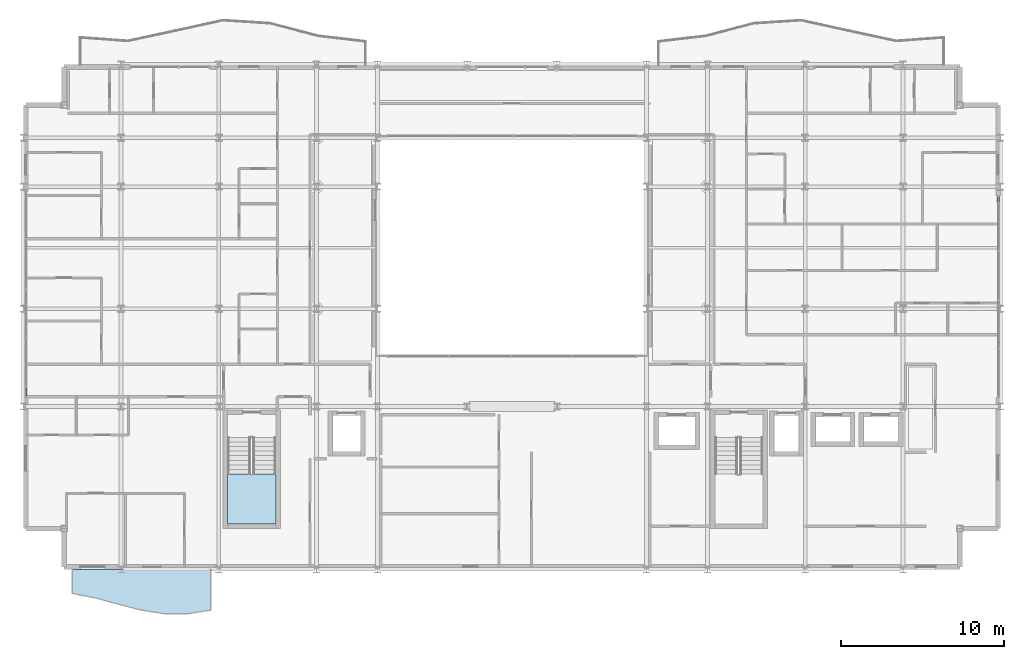
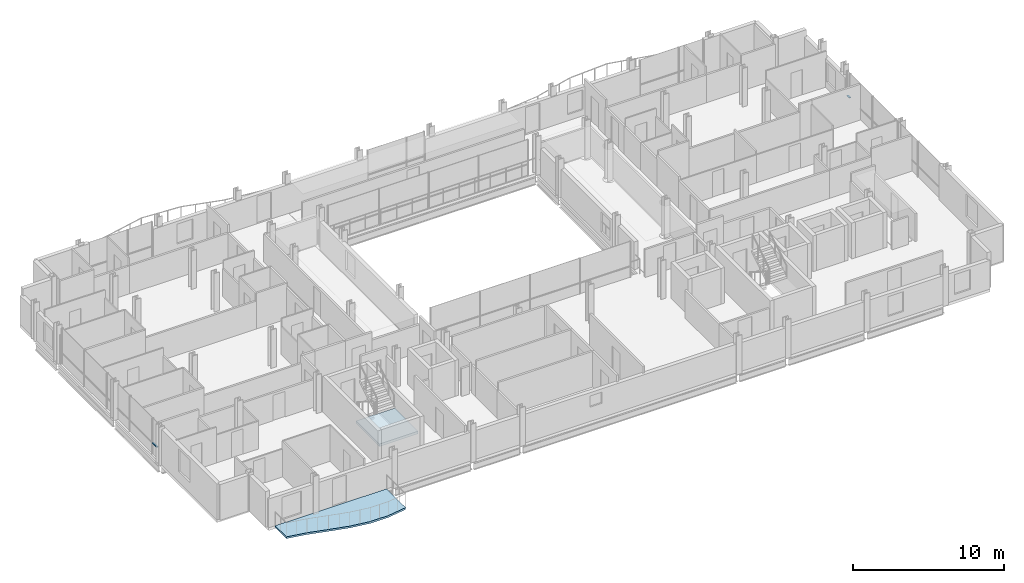
# One storey, part 27 of 41: 2 members, 2 slabs, 3 elements without a shape of their own.
"""IFC4 building model written with IfcOpenShell, lengths in metres."""

import ifcopenshell
import ifcopenshell.guid

model = None  # the IFC model being written
_history = None  # IfcOwnerHistory: only IFC2X3 demands one
_inside = {}  # id of a spatial element -> (the spatial element, [elements in it])
_under = {}  # id of a project, library or spatial element -> (it, [spatial elements below it])
_declared = {}  # id of a project -> (the project, [libraries it declares])
_typed = {}  # id of a type object -> (the type object, [elements of that type])
_made_of = {}  # id of a material, layer set ... -> (it, [elements and type objects made of it])


def new_model(schema):
    """Start an empty IFC model of exactly this schema.

    Asked for "IFC4X3", IfcOpenShell would pick the latest addendum, in which some entities
    have other attributes; the version numbers below select the first issue.
    IFC2X3 requires an IfcOwnerHistory on every rooted entity: one is made here for all.
    """
    global model, _history
    if schema == "IFC4X3":
        model = ifcopenshell.file(schema_version=(4, 3, 0, 0))
    else:
        model = ifcopenshell.file(schema=schema)
    _inside.clear()
    _under.clear()
    _declared.clear()
    _typed.clear()
    _made_of.clear()
    _history = None
    if model.schema == "IFC2X3":
        org = make("IfcOrganization", Name="unknown")
        user = make(
            "IfcPersonAndOrganization",
            ThePerson=make("IfcPerson", FamilyName="unknown"),
            TheOrganization=org,
        )
        app = make(
            "IfcApplication",
            ApplicationDeveloper=org,
            Version="unknown",
            ApplicationFullName="unknown",
            ApplicationIdentifier="unknown",
        )
        _history = make(
            "IfcOwnerHistory",
            OwningUser=user,
            OwningApplication=app,
            ChangeAction="ADDED",
            CreationDate=0,
        )
    return model


def make(cls, **values):
    """One entity of the class cls with the attributes given. An attribute that is None is left unset."""
    return model.create_entity(
        cls, **{name: value for name, value in values.items() if value is not None}
    )


def rooted(cls, **values):
    """An entity with a GlobalId (a new one), such as an element, a storey or a relation."""
    return make(cls, GlobalId=ifcopenshell.guid.new(), OwnerHistory=_history, **values)


def si_unit(unit_type, name, prefix=None):
    """IfcSIUnit, for example si_unit("LENGTHUNIT", "METRE", prefix="MILLI")."""
    return make("IfcSIUnit", UnitType=unit_type, Prefix=prefix, Name=name)


def assignment(units):
    """IfcUnitAssignment: the units of a project."""
    return None if units is None else make("IfcUnitAssignment", Units=units)


def point(xyz):
    """IfcCartesianPoint."""
    return None if xyz is None else make("IfcCartesianPoint", Coordinates=xyz)


def direction(xyz):
    """IfcDirection."""
    return None if xyz is None else make("IfcDirection", DirectionRatios=xyz)


def frame(location, z_axis=None, x_axis=None):
    """IfcAxis2Placement3D, a coordinate frame: its origin and axes. An axis left out is left unset."""
    return make(
        "IfcAxis2Placement3D",
        Location=point(location),
        Axis=direction(z_axis),
        RefDirection=direction(x_axis),
    )


def frame_2d(location, x_axis=None):
    """IfcAxis2Placement2D, a coordinate frame in the plane: its origin and x axis."""
    return make(
        "IfcAxis2Placement2D", Location=point(location), RefDirection=direction(x_axis)
    )


def origin():
    """The frame at (0, 0, 0) with its axes left unset."""
    return frame((0.0, 0.0, 0.0))


def origin_2d():
    """The frame at (0, 0) in the plane with its x axis left unset."""
    return frame_2d((0.0, 0.0))


def place(relative_to, where):
    """IfcLocalPlacement: puts the frame where relative to a parent placement (None: the world)."""
    return make(
        "IfcLocalPlacement", PlacementRelTo=relative_to, RelativePlacement=where
    )


def context(
    kind, dimensions, precision=None, world=None, true_north=None, identifier=None
):
    """IfcGeometricRepresentationContext, for example the 3D "Model" context."""
    return make(
        "IfcGeometricRepresentationContext",
        ContextIdentifier=identifier,
        ContextType=kind,
        CoordinateSpaceDimension=dimensions,
        Precision=precision,
        WorldCoordinateSystem=world,
        TrueNorth=true_north,
    )


def subcontext(parent, identifier, kind, view, scale=None):
    """IfcGeometricRepresentationSubContext, for example "Body" below "Model"."""
    return make(
        "IfcGeometricRepresentationSubContext",
        ContextIdentifier=identifier,
        ContextType=kind,
        ParentContext=parent,
        TargetScale=scale,
        TargetView=view,
    )


def project(units=None, contexts=None):
    """IfcProject with its units and contexts."""
    return rooted(
        "IfcProject",
        Name="project",
        RepresentationContexts=contexts,
        UnitsInContext=assignment(units),
    )


def spatial(cls, under=None, at=None, **own):
    """A site, building, storey or space (cls), placed at a placement, below another one or the project."""
    s = rooted(cls, ObjectPlacement=at, **own)
    if under is not None:
        _under.setdefault(under.id(), (under, []))[1].append(s)
    return s


def polyline(points):
    """IfcPolyline through the points."""
    return make("IfcPolyline", Points=[point(p) for p in points])


def profile(cls, at=None, kind="AREA", **sizes):
    """A parametric profile (cls). Its sizes go by their IFC names, for example OverallWidth=200.0."""
    return make(cls, ProfileType=kind, Position=at, **sizes)


def hollow_rectangle(**sizes):
    """IfcRectangleHollowProfileDef."""
    return profile("IfcRectangleHollowProfileDef", **sizes)


def outline(outer, holes=None, kind="AREA"):
    """IfcArbitraryClosedProfileDef: a profile drawn as a closed curve; with holes, ...WithVoids."""
    if holes is None:
        return make("IfcArbitraryClosedProfileDef", ProfileType=kind, OuterCurve=outer)
    return make(
        "IfcArbitraryProfileDefWithVoids",
        ProfileType=kind,
        OuterCurve=outer,
        InnerCurves=holes,
    )


def extrude(swept, where, along, depth):
    """IfcExtrudedAreaSolid: the profile swept, set in the frame where, extruded along a direction by depth."""
    return make(
        "IfcExtrudedAreaSolid",
        SweptArea=swept,
        Position=where,
        ExtrudedDirection=direction(along),
        Depth=depth,
    )


def shape(context_of_items, identifier, shape_type, items):
    """IfcShapeRepresentation: the items that make up one representation, for example the "Body"."""
    return make(
        "IfcShapeRepresentation",
        ContextOfItems=context_of_items,
        RepresentationIdentifier=identifier,
        RepresentationType=shape_type,
        Items=items,
    )


def material(Name=None, Category=None):
    """IfcMaterial."""
    return make("IfcMaterial", Name=Name, Category=Category)


def layer(
    of_material, thickness, ventilated=None, Name=None, Category=None, Priority=None
):
    """IfcMaterialLayer: one layer of a wall or slab, of a material (None: an air gap)."""
    return make(
        "IfcMaterialLayer",
        Material=of_material,
        LayerThickness=thickness,
        IsVentilated=ventilated,
        Name=Name,
        Category=Category,
        Priority=Priority,
    )


def layer_set(layers, Name=None):
    """IfcMaterialLayerSet."""
    return make("IfcMaterialLayerSet", MaterialLayers=layers, LayerSetName=Name)


def material_profile(
    of_material, cross_section, Name=None, Category=None, Priority=None
):
    """IfcMaterialProfile: a cross section and its material."""
    return make(
        "IfcMaterialProfile",
        Name=Name,
        Material=of_material,
        Profile=cross_section,
        Priority=Priority,
        Category=Category,
    )


def profile_set(profiles, Name=None, composite=None):
    """IfcMaterialProfileSet."""
    return make(
        "IfcMaterialProfileSet",
        Name=Name,
        MaterialProfiles=profiles,
        CompositeProfile=composite,
    )


def made_of(thing, what):
    """Note that an element or type object is made of a material, layer set ...; save() writes the relation."""
    if what is not None:
        _made_of.setdefault(what.id(), (what, []))[1].append(thing)
    return thing


def type_object(cls, material=None, **own):
    """A type object (cls), such as IfcWallType, which elements share."""
    return made_of(rooted(cls, **own), material)


def element(
    cls,
    number,
    at=None,
    inside=None,
    cuts=None,
    type_object=None,
    material=None,
    context=None,
    identifier="Body",
    shape_type=None,
    held_by="IfcProductDefinitionShape",
    body=None,
    shapes=None,
    **own,
):
    """One element of the class cls, such as IfcWall. Its Tag is "e" and its number.

    at: its placement. inside: the storey or other place that contains it. cuts: it is an
    opening in that element (IfcRelVoidsElement). A single representation is given by context,
    identifier, shape_type and body (its items); several are given by shapes. held_by: the class
    of the entity that holds the representations. save() writes the other relations.
    """
    e = rooted(cls, Tag="e%d" % number, ObjectPlacement=at, **own)
    if body is not None:
        shapes = [shape(context, identifier, shape_type, body)]
    if shapes is not None:
        e.Representation = make(held_by, Representations=shapes)
    if inside is not None:
        _inside.setdefault(inside.id(), (inside, []))[1].append(e)
    if cuts is not None:
        rooted(
            "IfcRelVoidsElement", RelatingBuildingElement=cuts, RelatedOpeningElement=e
        )
    if type_object is not None:
        _typed.setdefault(type_object.id(), (type_object, []))[1].append(e)
    return made_of(e, material)


def aggregate(whole, parts):
    """IfcRelAggregates: a whole, such as a stair, and the parts it consists of."""
    return rooted("IfcRelAggregates", RelatingObject=whole, RelatedObjects=parts)


def save(model, path):
    """Write the relations noted so far, then the file.

    IfcRelAggregates (storeys below a building ...), IfcRelContainedInSpatialStructure (elements
    in a storey), IfcRelDefinesByType, IfcRelAssociatesMaterial and IfcRelDeclares: one each for
    every whole, place, type object, material and project.
    """
    for whole, parts in _under.values():
        aggregate(whole, parts)
    for where, things in _inside.values():
        rooted(
            "IfcRelContainedInSpatialStructure",
            RelatedElements=things,
            RelatingStructure=where,
        )
    for kind, things in _typed.values():
        rooted("IfcRelDefinesByType", RelatedObjects=things, RelatingType=kind)
    for what, things in _made_of.values():
        rooted("IfcRelAssociatesMaterial", RelatedObjects=things, RelatingMaterial=what)
    for by, libraries in _declared.values():
        rooted("IfcRelDeclares", RelatingContext=by, RelatedDefinitions=libraries)
    model.write(path)


model = new_model("IFC4")

# Units and contexts
model_context = context("Model", 3, precision=1e-05, world=origin(), true_north=direction((0.0, 1.0)))
body_context = subcontext(model_context, "Body", "Model", "MODEL_VIEW")
ifc_project = project(units=[si_unit("LENGTHUNIT", "METRE"), si_unit("AREAUNIT", "SQUARE_METRE"), si_unit("VOLUMEUNIT", "CUBIC_METRE"), si_unit("PLANEANGLEUNIT", "RADIAN"), si_unit("MASSUNIT", "GRAM", prefix="KILO")], contexts=[model_context])

# Site, building, storey
site_placement = place(None, origin())
site = spatial("IfcSite", under=ifc_project, at=site_placement, CompositionType="ELEMENT")
building_placement = place(site_placement, origin())
building = spatial("IfcBuilding", under=site, at=building_placement, Name="Brevholm Reach", CompositionType="ELEMENT")
storey_placement = place(building_placement, frame((0.0, 0.0, 138.699951171875)))
storey = spatial("IfcBuildingStorey", under=building, at=storey_placement, Name="L41", CompositionType="ELEMENT", Elevation=138.699951171875)

# Curtain wall, member
ifc_material_1 = material(Name="Dark Anodised Aluminium 6063-T6 and Solar-Control Glass", Category="aluminium")
ifc_layer_1 = layer(ifc_material_1, 0.14990234375)
ifc_layer_set_1 = layer_set([ifc_layer_1], Name="Dark Anodised Aluminium 6063-T6 and Solar-Control Glass")
curtain_wall_type = type_object("IfcCurtainWallType", Name="CW-01", PredefinedType="NOTDEFINED", material=ifc_layer_set_1)
curtain_wall_1_placement = place(storey_placement, origin())
curtain_wall_1 = element("IfcCurtainWall", 1, at=curtain_wall_1_placement, inside=storey, type_object=curtain_wall_type, Name="L41 Curtain Wall CW-01", PredefinedType="NOTDEFINED")
ifc_material_2 = material(Name="Dark Anodised Aluminium 6063-T6", Category="aluminium")
ifc_material_profile = material_profile(ifc_material_2, hollow_rectangle(XDim=0.06494140625, YDim=0.14990234375, WallThickness=0.0048828125, InnerFilletRadius=0.0048828125, OuterFilletRadius=0.010009765625, at=origin_2d()), Name="RHS 150x65x5")
ifc_profile_set = profile_set([ifc_material_profile], Name="Dark Anodised Aluminium 6063-T6")
member_type = type_object("IfcMemberType", Name="CWT-150", PredefinedType="NOTDEFINED", material=ifc_profile_set)
member_1_placement = place(storey_placement, frame((0.14990234375, 11.1875, 0.900146484375), z_axis=(0.0, -1.0, 0.0), x_axis=(0.0, 0.0, 1.0)))
member_1 = element("IfcMember", 2, at=member_1_placement, type_object=member_type, Name="CT-150 Transom 5.1", ObjectType="TRANSOM", PredefinedType="USERDEFINED", context=body_context, shape_type="SweptSolid", body=[
    extrude(hollow_rectangle(XDim=0.06494140625, YDim=0.14990234375, WallThickness=0.0048828125, InnerFilletRadius=0.0048828125, OuterFilletRadius=0.010009765625, at=origin_2d()), origin(), (0.0, 0.0, 1.0), 0.572509765625),
])
aggregate(curtain_wall_1, [member_1])

curtain_wall_2_placement = place(storey_placement, origin())
curtain_wall_2 = element("IfcCurtainWall", 3, at=curtain_wall_2_placement, inside=storey, type_object=curtain_wall_type, Name="L41 Curtain Wall CW-01", PredefinedType="NOTDEFINED")
member_2_placement = place(storey_placement, frame((59.85009765625, 22.58251953125, 0.900146484375), z_axis=(0.0, 1.0, 0.0), x_axis=(0.0, 0.0, 1.0)))
member_2 = element("IfcMember", 4, at=member_2_placement, type_object=member_type, Name="CT-150 Transom 5.1", ObjectType="TRANSOM", PredefinedType="USERDEFINED", context=body_context, shape_type="SweptSolid", body=[
    extrude(hollow_rectangle(XDim=0.06494140625, YDim=0.14990234375, WallThickness=0.0048828125, InnerFilletRadius=0.0048828125, OuterFilletRadius=0.010009765625, at=origin_2d()), origin(), (0.0, 0.0, 1.0), 0.302490234375),
])
aggregate(curtain_wall_2, [member_2])

# Slab
ifc_material_3 = material(Name="Precast Concrete C45/55", Category="concrete")
ifc_layer_2 = layer(ifc_material_3, 0.14990234375)
ifc_layer_set_2 = layer_set([ifc_layer_2], Name="Precast Concrete C45/55")
slab_type_1 = type_object("IfcSlabType", Name="SLB-BAL-150", PredefinedType="FLOOR", material=ifc_layer_set_2)
slab_1_placement = place(storey_placement, frame((0.0, 0.0, -0.14990234375)))
element("IfcSlab", 5, at=slab_1_placement, inside=storey, type_object=slab_type_1, Name="L41 Rippling External Balcony SW", PredefinedType="FLOOR", context=body_context, shape_type="SweptSolid", body=[
    extrude(outline(polyline([(3.0, -1.4736328125), (4.416748046875, -1.747802734375), (5.833251953125, -2.1337890625), (7.25, -2.499755859375), (8.666748046875, -2.720458984375), (10.083251953125, -2.720458984375), (11.5, -2.499755859375), (11.5, 0.0), (3.0, 0.0), (3.0, -1.4736328125)])), origin(), (0.0, 0.0, 1.0), 0.14990234375),
])

# Stair, slab
ifc_material_4 = material(Name="Precast Concrete C40/50", Category="concrete")
stair_type = type_object("IfcStairType", Name="STR-ESC-1400", PredefinedType="DOUBLE_RETURN_STAIR", material=ifc_material_4)
stair_placement = place(storey_placement, origin())
stair = element("IfcStair", 6, at=stair_placement, inside=storey, type_object=stair_type, Name="L41 ST-1", PredefinedType="DOUBLE_RETURN_STAIR")
ifc_material_5 = material(Name="Concrete C40/50", Category="concrete")
ifc_layer_3 = layer(ifc_material_5, 0.199951171875)
ifc_layer_set_3 = layer_set([ifc_layer_3], Name="Concrete C40/50")
slab_type_2 = type_object("IfcSlabType", Name="SLB-LND-200", PredefinedType="LANDING", material=ifc_layer_set_3)
slab_2_placement = place(storey_placement, frame((0.0, 0.0, 1.35009765625)))
slab_2 = element("IfcSlab", 7, at=slab_2_placement, type_object=slab_type_2, Name="ST-1 landing 1", PredefinedType="LANDING", context=body_context, shape_type="SweptSolid", body=[
    extrude(outline(polyline([(12.550048828125, 5.860107421875), (12.550048828125, 2.780029296875), (15.5, 2.780029296875), (15.5, 5.860107421875), (12.550048828125, 5.860107421875)])), origin(), (0.0, 0.0, 1.0), 0.199951171875),
])
aggregate(stair, [slab_2])

save(model, "model.ifc")
